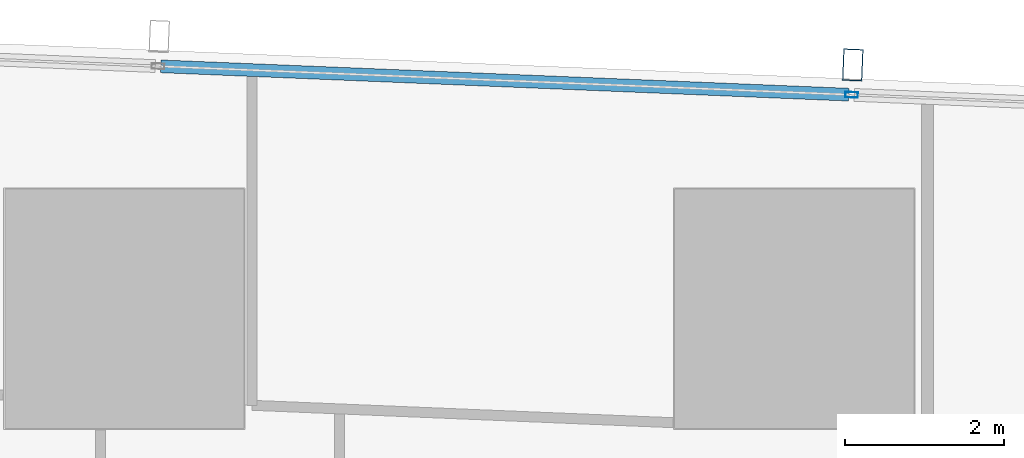
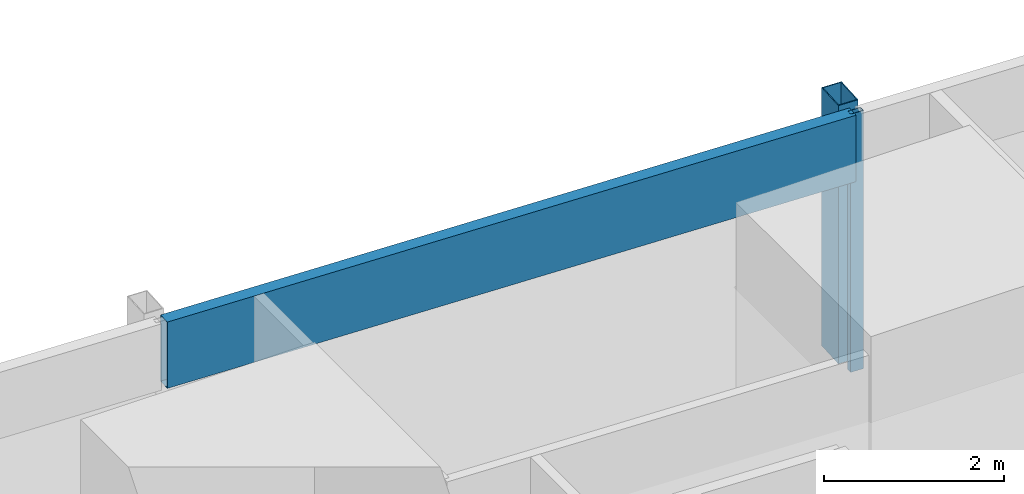
# One storey, part 21 of 45: 3 members, 1 element without a shape of its own.
"""IFC4 building model written with IfcOpenShell, lengths in metres."""

from ifc_helpers import new_model, si_unit, direction, frame, origin, origin_2d, place, context, subcontext, project, spatial, hollow_rectangle, extrude, material, material_profile, profile_set, type_object, element, aggregate, save


model = new_model("IFC4")

# Units and contexts
model_context = context("Model", 3, precision=1e-05, world=origin(), true_north=direction((0.0, 1.0)))
body_context = subcontext(model_context, "Body", "Model", "MODEL_VIEW")
ifc_project = project(units=[si_unit("LENGTHUNIT", "METRE"), si_unit("AREAUNIT", "SQUARE_METRE"), si_unit("VOLUMEUNIT", "CUBIC_METRE"), si_unit("PLANEANGLEUNIT", "RADIAN"), si_unit("MASSUNIT", "GRAM", prefix="KILO")], contexts=[model_context])

# Site, building, storey
site_placement = place(None, origin())
site = spatial("IfcSite", under=ifc_project, at=site_placement, CompositionType="ELEMENT")
building_placement = place(site_placement, origin())
building = spatial("IfcBuilding", under=site, at=building_placement, Name="Rekha Terrace Tower", CompositionType="ELEMENT")
storey_placement = place(building_placement, frame((0.0, 0.0, 77.89990234375)))
storey = spatial("IfcBuildingStorey", under=building, at=storey_placement, Name="L19", CompositionType="ELEMENT", Elevation=77.89990234375)

# Curtain wall, members
ifc_material_1 = material(Name="Aluminium framing", Category="aluminium")
curtain_wall_type = type_object("IfcCurtainWallType", Name="CW3 north unitised glazing", PredefinedType="USERDEFINED", material=ifc_material_1)
curtain_wall_placement = place(storey_placement, origin())
curtain_wall = element("IfcCurtainWall", 1, at=curtain_wall_placement, inside=storey, type_object=curtain_wall_type, Name="CW3 unitised curtain wall", ObjectType="UNITISED CURTAIN WALL", PredefinedType="USERDEFINED")
ifc_material_2 = material(Name="Steel S355 with fluorocarbon finish", Category="steel")
ifc_material_profile_1 = material_profile(ifc_material_2, hollow_rectangle(XDim=0.25, YDim=0.39990234375, WallThickness=0.012451171875, at=origin_2d()), Name="RHS400x250x12.5")
ifc_profile_set_1 = profile_set([ifc_material_profile_1], Name="Steel S355 with fluorocarbon finish")
member_type_1 = type_object("IfcMemberType", Name="BL1 facade blade RHS 400 x 250", PredefinedType="USERDEFINED", material=ifc_profile_set_1)
member_1_placement = place(storey_placement, frame((42.73388671875, 61.857421875, 0.0), z_axis=(0.0, 0.0, 1.0), x_axis=(-0.99915196507, 0.041174636562, 0.0)))
member_1 = element("IfcMember", 2, at=member_1_placement, type_object=member_type_1, Name="Facade blade", ObjectType="FACADE BLADE", PredefinedType="USERDEFINED", context=body_context, shape_type="SweptSolid", body=[
    extrude(hollow_rectangle(XDim=0.25, YDim=0.39990234375, WallThickness=0.012451171875, at=origin_2d()), origin(), (0.0, 0.0, 1.0), 3.5),
])
ifc_material_3 = material(Name="Aluminium mullion section", Category="aluminium")
ifc_material_profile_2 = material_profile(ifc_material_3, hollow_rectangle(XDim=0.070068359375, YDim=0.159912109375, WallThickness=0.00390625, at=origin_2d()), Name="AL RHS 70x160")
ifc_profile_set_2 = profile_set([ifc_material_profile_2], Name="Aluminium mullion section")
member_type_2 = type_object("IfcMemberType", Name="CW3 mullion RHS 70 x 160", PredefinedType="MULLION", material=ifc_profile_set_2)
member_2_placement = place(storey_placement, frame((42.718505859375, 61.48291015625, 0.0), z_axis=(0.0, 0.0, 1.0), x_axis=(-0.041173846041, -0.999151997647, 0.0)))
member_2 = element("IfcMember", 3, at=member_2_placement, type_object=member_type_2, Name="CW3 mullion 4", PredefinedType="MULLION", context=body_context, shape_type="SweptSolid", body=[
    extrude(hollow_rectangle(XDim=0.070068359375, YDim=0.159912109375, WallThickness=0.00390625, at=origin_2d()), origin(), (0.0, 0.0, 1.0), 3.5),
])
ifc_material_4 = material(Name="Insulated aluminium spandrel box", Category="aluminium")
ifc_material_profile_3 = material_profile(ifc_material_4, hollow_rectangle(XDim=0.159912109375, YDim=0.89990234375, WallThickness=0.0029296875, at=origin_2d()), Name="AL SPANDREL BOX 160x900")
ifc_profile_set_3 = profile_set([ifc_material_profile_3], Name="Insulated aluminium spandrel box")
member_type_3 = type_object("IfcMemberType", Name="CW3 spandrel transom 160 x 900", PredefinedType="USERDEFINED", material=ifc_profile_set_3)
member_3_placement = place(storey_placement, frame((42.68359375, 61.484375, 3.050048828125), z_axis=(-0.999152128669, 0.041170666459, 0.0), x_axis=(-0.041170666459, -0.999152128669, 0.0)))
member_3 = element("IfcMember", 4, at=member_3_placement, type_object=member_type_3, Name="CW3 spandrel transom 4", ObjectType="TRANSOM", PredefinedType="USERDEFINED", context=body_context, shape_type="SweptSolid", body=[
    extrude(hollow_rectangle(XDim=0.159912109375, YDim=0.89990234375, WallThickness=0.0029296875, at=origin_2d()), origin(), (0.0, 0.0, 1.0), 8.634033203125),
])
aggregate(curtain_wall, [member_2, member_3, member_1])

save(model, "model.ifc")
